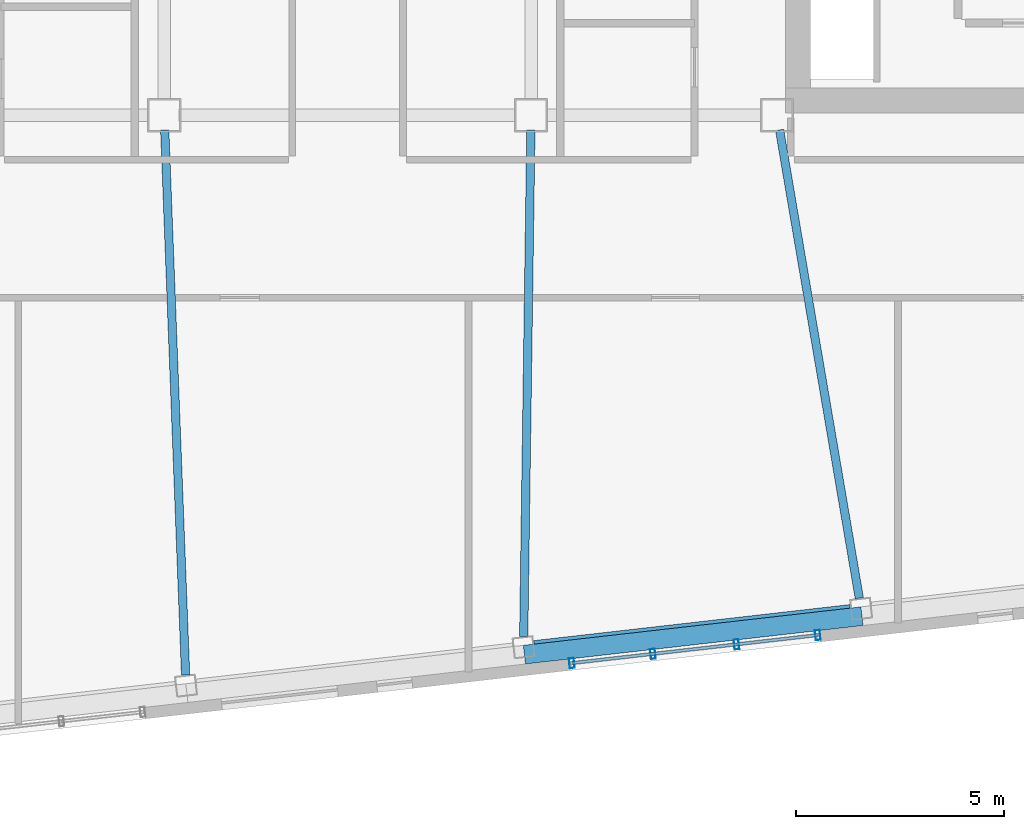
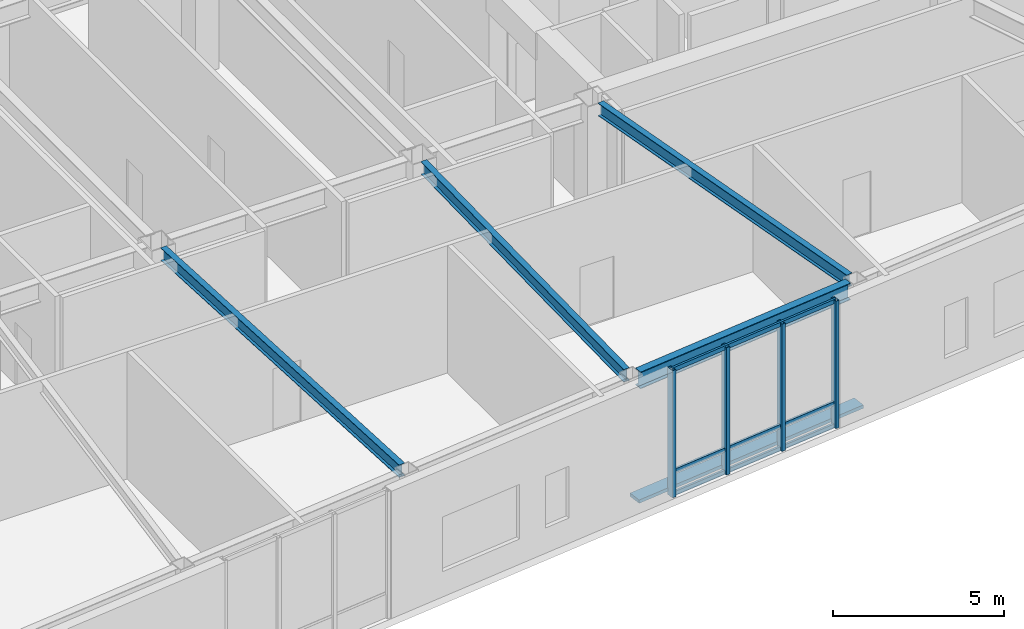
# One storey, part 8 of 21: 8 members, 4 beams, 1 element without a shape of its own.
"""IFC4 building model written with IfcOpenShell, lengths in metres."""

import ifcopenshell
import ifcopenshell.guid

model = None  # the IFC model being written
_history = None  # IfcOwnerHistory: only IFC2X3 demands one
_inside = {}  # id of a spatial element -> (the spatial element, [elements in it])
_under = {}  # id of a project, library or spatial element -> (it, [spatial elements below it])
_declared = {}  # id of a project -> (the project, [libraries it declares])
_typed = {}  # id of a type object -> (the type object, [elements of that type])
_made_of = {}  # id of a material, layer set ... -> (it, [elements and type objects made of it])


def new_model(schema):
    """Start an empty IFC model of exactly this schema.

    Asked for "IFC4X3", IfcOpenShell would pick the latest addendum, in which some entities
    have other attributes; the version numbers below select the first issue.
    IFC2X3 requires an IfcOwnerHistory on every rooted entity: one is made here for all.
    """
    global model, _history
    if schema == "IFC4X3":
        model = ifcopenshell.file(schema_version=(4, 3, 0, 0))
    else:
        model = ifcopenshell.file(schema=schema)
    _inside.clear()
    _under.clear()
    _declared.clear()
    _typed.clear()
    _made_of.clear()
    _history = None
    if model.schema == "IFC2X3":
        org = make("IfcOrganization", Name="unknown")
        user = make(
            "IfcPersonAndOrganization",
            ThePerson=make("IfcPerson", FamilyName="unknown"),
            TheOrganization=org,
        )
        app = make(
            "IfcApplication",
            ApplicationDeveloper=org,
            Version="unknown",
            ApplicationFullName="unknown",
            ApplicationIdentifier="unknown",
        )
        _history = make(
            "IfcOwnerHistory",
            OwningUser=user,
            OwningApplication=app,
            ChangeAction="ADDED",
            CreationDate=0,
        )
    return model


def make(cls, **values):
    """One entity of the class cls with the attributes given. An attribute that is None is left unset."""
    return model.create_entity(
        cls, **{name: value for name, value in values.items() if value is not None}
    )


def rooted(cls, **values):
    """An entity with a GlobalId (a new one), such as an element, a storey or a relation."""
    return make(cls, GlobalId=ifcopenshell.guid.new(), OwnerHistory=_history, **values)


def si_unit(unit_type, name, prefix=None):
    """IfcSIUnit, for example si_unit("LENGTHUNIT", "METRE", prefix="MILLI")."""
    return make("IfcSIUnit", UnitType=unit_type, Prefix=prefix, Name=name)


def assignment(units):
    """IfcUnitAssignment: the units of a project."""
    return None if units is None else make("IfcUnitAssignment", Units=units)


def point(xyz):
    """IfcCartesianPoint."""
    return None if xyz is None else make("IfcCartesianPoint", Coordinates=xyz)


def direction(xyz):
    """IfcDirection."""
    return None if xyz is None else make("IfcDirection", DirectionRatios=xyz)


def frame(location, z_axis=None, x_axis=None):
    """IfcAxis2Placement3D, a coordinate frame: its origin and axes. An axis left out is left unset."""
    return make(
        "IfcAxis2Placement3D",
        Location=point(location),
        Axis=direction(z_axis),
        RefDirection=direction(x_axis),
    )


def frame_2d(location, x_axis=None):
    """IfcAxis2Placement2D, a coordinate frame in the plane: its origin and x axis."""
    return make(
        "IfcAxis2Placement2D", Location=point(location), RefDirection=direction(x_axis)
    )


def origin():
    """The frame at (0, 0, 0) with its axes left unset."""
    return frame((0.0, 0.0, 0.0))


def origin_2d():
    """The frame at (0, 0) in the plane with its x axis left unset."""
    return frame_2d((0.0, 0.0))


def place(relative_to, where):
    """IfcLocalPlacement: puts the frame where relative to a parent placement (None: the world)."""
    return make(
        "IfcLocalPlacement", PlacementRelTo=relative_to, RelativePlacement=where
    )


def context(
    kind, dimensions, precision=None, world=None, true_north=None, identifier=None
):
    """IfcGeometricRepresentationContext, for example the 3D "Model" context."""
    return make(
        "IfcGeometricRepresentationContext",
        ContextIdentifier=identifier,
        ContextType=kind,
        CoordinateSpaceDimension=dimensions,
        Precision=precision,
        WorldCoordinateSystem=world,
        TrueNorth=true_north,
    )


def subcontext(parent, identifier, kind, view, scale=None):
    """IfcGeometricRepresentationSubContext, for example "Body" below "Model"."""
    return make(
        "IfcGeometricRepresentationSubContext",
        ContextIdentifier=identifier,
        ContextType=kind,
        ParentContext=parent,
        TargetScale=scale,
        TargetView=view,
    )


def project(units=None, contexts=None):
    """IfcProject with its units and contexts."""
    return rooted(
        "IfcProject",
        Name="project",
        RepresentationContexts=contexts,
        UnitsInContext=assignment(units),
    )


def spatial(cls, under=None, at=None, **own):
    """A site, building, storey or space (cls), placed at a placement, below another one or the project."""
    s = rooted(cls, ObjectPlacement=at, **own)
    if under is not None:
        _under.setdefault(under.id(), (under, []))[1].append(s)
    return s


def profile(cls, at=None, kind="AREA", **sizes):
    """A parametric profile (cls). Its sizes go by their IFC names, for example OverallWidth=200.0."""
    return make(cls, ProfileType=kind, Position=at, **sizes)


def rectangle(**sizes):
    """IfcRectangleProfileDef."""
    return profile("IfcRectangleProfileDef", **sizes)


def hollow_rectangle(**sizes):
    """IfcRectangleHollowProfileDef."""
    return profile("IfcRectangleHollowProfileDef", **sizes)


def i_section(**sizes):
    """IfcIShapeProfileDef."""
    return profile("IfcIShapeProfileDef", **sizes)


def extrude(swept, where, along, depth):
    """IfcExtrudedAreaSolid: the profile swept, set in the frame where, extruded along a direction by depth."""
    return make(
        "IfcExtrudedAreaSolid",
        SweptArea=swept,
        Position=where,
        ExtrudedDirection=direction(along),
        Depth=depth,
    )


def shape(context_of_items, identifier, shape_type, items):
    """IfcShapeRepresentation: the items that make up one representation, for example the "Body"."""
    return make(
        "IfcShapeRepresentation",
        ContextOfItems=context_of_items,
        RepresentationIdentifier=identifier,
        RepresentationType=shape_type,
        Items=items,
    )


def material(Name=None, Category=None):
    """IfcMaterial."""
    return make("IfcMaterial", Name=Name, Category=Category)


def layer(
    of_material, thickness, ventilated=None, Name=None, Category=None, Priority=None
):
    """IfcMaterialLayer: one layer of a wall or slab, of a material (None: an air gap)."""
    return make(
        "IfcMaterialLayer",
        Material=of_material,
        LayerThickness=thickness,
        IsVentilated=ventilated,
        Name=Name,
        Category=Category,
        Priority=Priority,
    )


def layer_set(layers, Name=None):
    """IfcMaterialLayerSet."""
    return make("IfcMaterialLayerSet", MaterialLayers=layers, LayerSetName=Name)


def material_profile(
    of_material, cross_section, Name=None, Category=None, Priority=None
):
    """IfcMaterialProfile: a cross section and its material."""
    return make(
        "IfcMaterialProfile",
        Name=Name,
        Material=of_material,
        Profile=cross_section,
        Priority=Priority,
        Category=Category,
    )


def profile_set(profiles, Name=None, composite=None):
    """IfcMaterialProfileSet."""
    return make(
        "IfcMaterialProfileSet",
        Name=Name,
        MaterialProfiles=profiles,
        CompositeProfile=composite,
    )


def made_of(thing, what):
    """Note that an element or type object is made of a material, layer set ...; save() writes the relation."""
    if what is not None:
        _made_of.setdefault(what.id(), (what, []))[1].append(thing)
    return thing


def type_object(cls, material=None, **own):
    """A type object (cls), such as IfcWallType, which elements share."""
    return made_of(rooted(cls, **own), material)


def element(
    cls,
    number,
    at=None,
    inside=None,
    cuts=None,
    type_object=None,
    material=None,
    context=None,
    identifier="Body",
    shape_type=None,
    held_by="IfcProductDefinitionShape",
    body=None,
    shapes=None,
    **own,
):
    """One element of the class cls, such as IfcWall. Its Tag is "e" and its number.

    at: its placement. inside: the storey or other place that contains it. cuts: it is an
    opening in that element (IfcRelVoidsElement). A single representation is given by context,
    identifier, shape_type and body (its items); several are given by shapes. held_by: the class
    of the entity that holds the representations. save() writes the other relations.
    """
    e = rooted(cls, Tag="e%d" % number, ObjectPlacement=at, **own)
    if body is not None:
        shapes = [shape(context, identifier, shape_type, body)]
    if shapes is not None:
        e.Representation = make(held_by, Representations=shapes)
    if inside is not None:
        _inside.setdefault(inside.id(), (inside, []))[1].append(e)
    if cuts is not None:
        rooted(
            "IfcRelVoidsElement", RelatingBuildingElement=cuts, RelatedOpeningElement=e
        )
    if type_object is not None:
        _typed.setdefault(type_object.id(), (type_object, []))[1].append(e)
    return made_of(e, material)


def aggregate(whole, parts):
    """IfcRelAggregates: a whole, such as a stair, and the parts it consists of."""
    return rooted("IfcRelAggregates", RelatingObject=whole, RelatedObjects=parts)


def save(model, path):
    """Write the relations noted so far, then the file.

    IfcRelAggregates (storeys below a building ...), IfcRelContainedInSpatialStructure (elements
    in a storey), IfcRelDefinesByType, IfcRelAssociatesMaterial and IfcRelDeclares: one each for
    every whole, place, type object, material and project.
    """
    for whole, parts in _under.values():
        aggregate(whole, parts)
    for where, things in _inside.values():
        rooted(
            "IfcRelContainedInSpatialStructure",
            RelatedElements=things,
            RelatingStructure=where,
        )
    for kind, things in _typed.values():
        rooted("IfcRelDefinesByType", RelatedObjects=things, RelatingType=kind)
    for what, things in _made_of.values():
        rooted("IfcRelAssociatesMaterial", RelatedObjects=things, RelatingMaterial=what)
    for by, libraries in _declared.values():
        rooted("IfcRelDeclares", RelatingContext=by, RelatedDefinitions=libraries)
    model.write(path)


model = new_model("IFC4")

# Units and contexts
model_context = context("Model", 3, precision=1e-05, world=origin(), true_north=direction((0.0, 1.0)))
body_context = subcontext(model_context, "Body", "Model", "MODEL_VIEW")
ifc_project = project(units=[si_unit("LENGTHUNIT", "METRE"), si_unit("AREAUNIT", "SQUARE_METRE"), si_unit("VOLUMEUNIT", "CUBIC_METRE"), si_unit("PLANEANGLEUNIT", "RADIAN"), si_unit("MASSUNIT", "GRAM", prefix="KILO")], contexts=[model_context])

# Site, building, storey
site_placement = place(None, origin())
site = spatial("IfcSite", under=ifc_project, at=site_placement, CompositionType="ELEMENT")
building_placement = place(site_placement, origin())
building = spatial("IfcBuilding", under=site, at=building_placement, Name="Tavrogorsk Clinical Tower", CompositionType="ELEMENT")
storey_placement = place(building_placement, frame((0.0, 0.0, 238.199951171875)))
storey = spatial("IfcBuildingStorey", under=building, at=storey_placement, Name="L55", CompositionType="ELEMENT", Elevation=238.199951171875)

# Member
ifc_material_1 = material(Name="Anodised aluminium alloy AW-6063", Category="aluminium")
ifc_material_profile_1 = material_profile(ifc_material_1, rectangle(XDim=0.449951171875, YDim=0.1201171875, at=origin_2d()), Name="ALU-SUNSHADE-450x120")
ifc_profile_set_1 = profile_set([ifc_material_profile_1], Name="Anodised aluminium alloy AW-6063")
member_type_1 = type_object("IfcMemberType", Name="ChicagoSunshade_450x120", PredefinedType="USERDEFINED", material=ifc_profile_set_1)
member_1_placement = place(storey_placement, frame((4.240478515625, -19.29150390625, 0.179931640625), z_axis=(0.9935729766, 0.113193375116, 0.0), x_axis=(-0.113193375116, 0.9935729766, 0.0)))
element("IfcMember", 1, at=member_1_placement, inside=storey, type_object=member_type_1, Name="L55 South Aluminium Sunshade S5", ObjectType="SUNSHADE", PredefinedType="USERDEFINED", context=body_context, shape_type="SweptSolid", body=[
    extrude(rectangle(XDim=0.449951171875, YDim=0.1201171875, at=origin_2d()), origin(), (0.0, 0.0, 1.0), 8.148681640625),
])

# Curtain wall, members
ifc_material_2 = material(Name="Anodised aluminium and triple IGU glazing", Category="aluminium")
ifc_layer = layer(ifc_material_2, 0.179931640625)
ifc_layer_set = layer_set([ifc_layer], Name="Anodised aluminium and triple IGU glazing")
curtain_wall_type = type_object("IfcCurtainWallType", Name="CW5_SkyLobby", PredefinedType="NOTDEFINED", material=ifc_layer_set)
curtain_wall_placement = place(storey_placement, origin())
curtain_wall = element("IfcCurtainWall", 2, at=curtain_wall_placement, inside=storey, type_object=curtain_wall_type, Name="L55 Curtain Wall CW-L55-S-CW5-2", PredefinedType="NOTDEFINED")
ifc_material_3 = material(Name="Anodised aluminium alloy AW-6060", Category="aluminium")
ifc_material_profile_2 = material_profile(ifc_material_3, hollow_rectangle(XDim=0.1201171875, YDim=0.239990234375, WallThickness=0.008056640625, at=origin_2d()), Name="RHS-240x120x8")
ifc_profile_set_2 = profile_set([ifc_material_profile_2], Name="Anodised aluminium alloy AW-6060")
member_type_2 = type_object("IfcMemberType", Name="CwMullion_240x120", PredefinedType="MULLION", material=ifc_profile_set_2)
member_2_placement = place(storey_placement, frame((5.376953125, -19.494140625, 0.0), z_axis=(0.0, 0.0, 1.0), x_axis=(0.993571867648, 0.113203108698, 0.0)))
member_2 = element("IfcMember", 3, at=member_2_placement, type_object=member_type_2, Name="CW-L55-S-CW5-2 Mullion 1", PredefinedType="MULLION", context=body_context, shape_type="SweptSolid", body=[
    extrude(hollow_rectangle(XDim=0.1201171875, YDim=0.239990234375, WallThickness=0.008056640625, at=origin_2d()), origin(), (0.0, 0.0, 1.0), 4.5400390625),
])
member_3_placement = place(storey_placement, frame((7.322998046875, -19.2724609375, 0.0), z_axis=(0.0, 0.0, 1.0), x_axis=(0.993571867648, 0.113203108698, 0.0)))
member_3 = element("IfcMember", 4, at=member_3_placement, type_object=member_type_2, Name="CW-L55-S-CW5-2 Mullion 2", PredefinedType="MULLION", context=body_context, shape_type="SweptSolid", body=[
    extrude(hollow_rectangle(XDim=0.1201171875, YDim=0.239990234375, WallThickness=0.008056640625, at=origin_2d()), origin(), (0.0, 0.0, 1.0), 4.5400390625),
])
member_4_placement = place(storey_placement, frame((9.328857421875, -19.0439453125, 0.0), z_axis=(0.0, 0.0, 1.0), x_axis=(0.993571867648, 0.113203108698, 0.0)))
member_4 = element("IfcMember", 5, at=member_4_placement, type_object=member_type_2, Name="CW-L55-S-CW5-2 Mullion 3", PredefinedType="MULLION", context=body_context, shape_type="SweptSolid", body=[
    extrude(hollow_rectangle(XDim=0.1201171875, YDim=0.239990234375, WallThickness=0.008056640625, at=origin_2d()), origin(), (0.0, 0.0, 1.0), 4.5400390625),
])
member_5_placement = place(storey_placement, frame((11.27490234375, -18.822265625, 0.0), z_axis=(0.0, 0.0, 1.0), x_axis=(0.993571867648, 0.113203108698, 0.0)))
member_5 = element("IfcMember", 6, at=member_5_placement, type_object=member_type_2, Name="CW-L55-S-CW5-2 Mullion 4", PredefinedType="MULLION", context=body_context, shape_type="SweptSolid", body=[
    extrude(hollow_rectangle(XDim=0.1201171875, YDim=0.239990234375, WallThickness=0.008056640625, at=origin_2d()), origin(), (0.0, 0.0, 1.0), 4.5400390625),
])
ifc_material_4 = material(Name="Anodised aluminium alloy AW-6060", Category="aluminium")
ifc_material_profile_3 = material_profile(ifc_material_4, hollow_rectangle(XDim=0.074951171875, YDim=0.14990234375, WallThickness=0.0048828125, at=origin_2d()), Name="RHS-150x75x5")
ifc_profile_set_3 = profile_set([ifc_material_profile_3], Name="Anodised aluminium alloy AW-6060")
member_type_3 = type_object("IfcMemberType", Name="CwTransom_150x75", PredefinedType="USERDEFINED", material=ifc_profile_set_3)
member_6_placement = place(storey_placement, frame((5.376953125, -19.494140625, 0.050048828125), z_axis=(0.993573966887, 0.113184682377, 0.0), x_axis=(-0.113184682377, 0.993573966887, 0.0)))
member_6 = element("IfcMember", 7, at=member_6_placement, type_object=member_type_3, Name="CW-L55-S-CW5-2 Transom 1", ObjectType="TRANSOM", PredefinedType="USERDEFINED", context=body_context, shape_type="SweptSolid", body=[
    extrude(hollow_rectangle(XDim=0.074951171875, YDim=0.14990234375, WallThickness=0.0048828125, at=origin_2d()), origin(), (0.0, 0.0, 1.0), 5.93603515625),
])
member_7_placement = place(storey_placement, frame((5.376953125, -19.494140625, 0.85009765625), z_axis=(0.993573966887, 0.113184682377, 0.0), x_axis=(-0.113184682377, 0.993573966887, 0.0)))
member_7 = element("IfcMember", 8, at=member_7_placement, type_object=member_type_3, Name="CW-L55-S-CW5-2 Transom 2", ObjectType="TRANSOM", PredefinedType="USERDEFINED", context=body_context, shape_type="SweptSolid", body=[
    extrude(hollow_rectangle(XDim=0.074951171875, YDim=0.14990234375, WallThickness=0.0048828125, at=origin_2d()), origin(), (0.0, 0.0, 1.0), 5.93603515625),
])
member_8_placement = place(storey_placement, frame((5.376953125, -19.494140625, 4.489990234375), z_axis=(0.993573966887, 0.113184682377, 0.0), x_axis=(-0.113184682377, 0.993573966887, 0.0)))
member_8 = element("IfcMember", 9, at=member_8_placement, type_object=member_type_3, Name="CW-L55-S-CW5-2 Transom 3", ObjectType="TRANSOM", PredefinedType="USERDEFINED", context=body_context, shape_type="SweptSolid", body=[
    extrude(hollow_rectangle(XDim=0.074951171875, YDim=0.14990234375, WallThickness=0.0048828125, at=origin_2d()), origin(), (0.0, 0.0, 1.0), 5.93603515625),
])
aggregate(curtain_wall, [member_2, member_3, member_4, member_5, member_6, member_7, member_8])

# Beams
ifc_material_5 = material(Name="Structural steel S355", Category="steel")
ifc_material_profile_4 = material_profile(ifc_material_5, i_section(OverallWidth=0.199951171875, OverallDepth=0.449951171875, WebThickness=0.011474609375, FlangeThickness=0.01806640625, at=origin_2d()), Name="B-450x200x11.5x18")
ifc_profile_set_4 = profile_set([ifc_material_profile_4], Name="Structural steel S355")
beam_type_1 = type_object("IfcBeamType", Name="FloorBeam_B450", PredefinedType="BEAM", material=ifc_profile_set_4)
beam_1_placement = place(storey_placement, frame((-4.38623046875, -6.709716796875, 4.31494140625), z_axis=(0.038253158264, -0.999268080088, 0.0), x_axis=(0.999268080088, 0.038253158264, 0.0)))
element("IfcBeam", 10, at=beam_1_placement, inside=storey, type_object=beam_type_1, Name="L55 Radial Floor Beam S4", PredefinedType="BEAM", context=body_context, shape_type="SweptSolid", body=[
    extrude(i_section(OverallWidth=0.199951171875, OverallDepth=0.449951171875, WebThickness=0.011474609375, FlangeThickness=0.01806640625, at=origin_2d()), origin(), (0.0, 0.0, 1.0), 13.0771484375),
])
beam_2_placement = place(storey_placement, frame((4.39501953125, -6.7099609375, 4.31494140625), z_axis=(-0.014110566079, -0.999900441006, 0.0), x_axis=(0.999900441006, -0.014110566079, 0.0)))
element("IfcBeam", 11, at=beam_2_placement, inside=storey, type_object=beam_type_1, Name="L55 Radial Floor Beam S5", PredefinedType="BEAM", context=body_context, shape_type="SweptSolid", body=[
    extrude(i_section(OverallWidth=0.199951171875, OverallDepth=0.449951171875, WebThickness=0.011474609375, FlangeThickness=0.01806640625, at=origin_2d()), origin(), (0.0, 0.0, 1.0), 12.14599609375),
])
beam_3_placement = place(storey_placement, frame((10.3603515625, -6.704833984375, 4.31494140625), z_axis=(0.167876447446, -0.98580804338, 0.0), x_axis=(0.98580804338, 0.167876447446, 0.0)))
element("IfcBeam", 12, at=beam_3_placement, inside=storey, type_object=beam_type_1, Name="L55 Radial Floor Beam S6", PredefinedType="BEAM", context=body_context, shape_type="SweptSolid", body=[
    extrude(i_section(OverallWidth=0.199951171875, OverallDepth=0.449951171875, WebThickness=0.011474609375, FlangeThickness=0.01806640625, at=origin_2d()), origin(), (0.0, 0.0, 1.0), 11.392822265625),
])
ifc_material_6 = material(Name="Structural steel S390", Category="steel")
ifc_material_profile_5 = material_profile(ifc_material_6, i_section(OverallWidth=0.260009765625, OverallDepth=0.60009765625, WebThickness=0.014892578125, FlangeThickness=0.02392578125, at=origin_2d()), Name="B-600x260x15x24")
ifc_profile_set_5 = profile_set([ifc_material_profile_5], Name="Structural steel S390")
beam_type_2 = type_object("IfcBeamType", Name="SpandrelBeam_B600", PredefinedType="SPANDREL", material=ifc_profile_set_5)
beam_4_placement = place(storey_placement, frame((4.476318359375, -19.08349609375, 4.239990234375), z_axis=(0.993572509708, 0.113197473259, 0.0), x_axis=(-0.113197473259, 0.993572509708, 0.0)))
element("IfcBeam", 13, at=beam_4_placement, inside=storey, type_object=beam_type_2, Name="L55 Perimeter Spandrel S5-S6", PredefinedType="SPANDREL", context=body_context, shape_type="SweptSolid", body=[
    extrude(i_section(OverallWidth=0.260009765625, OverallDepth=0.60009765625, WebThickness=0.014892578125, FlangeThickness=0.02392578125, at=origin_2d()), origin(), (0.0, 0.0, 1.0), 7.6328125),
])

save(model, "model.ifc")
